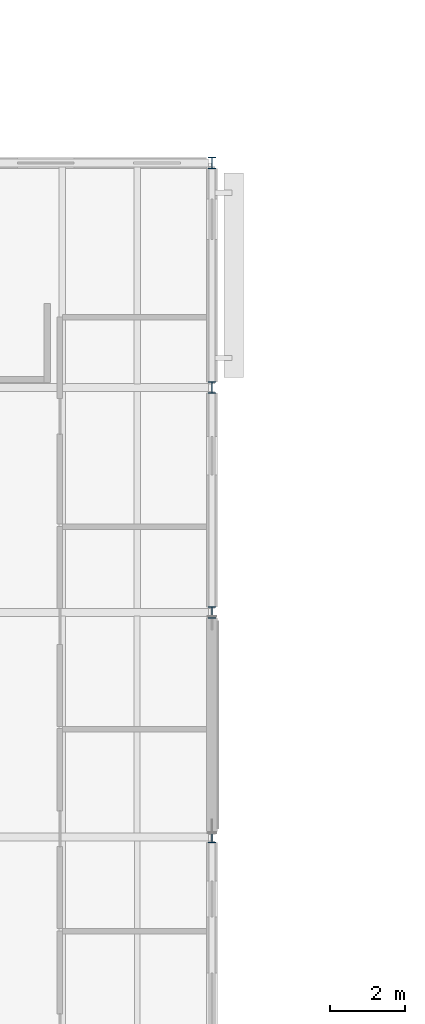
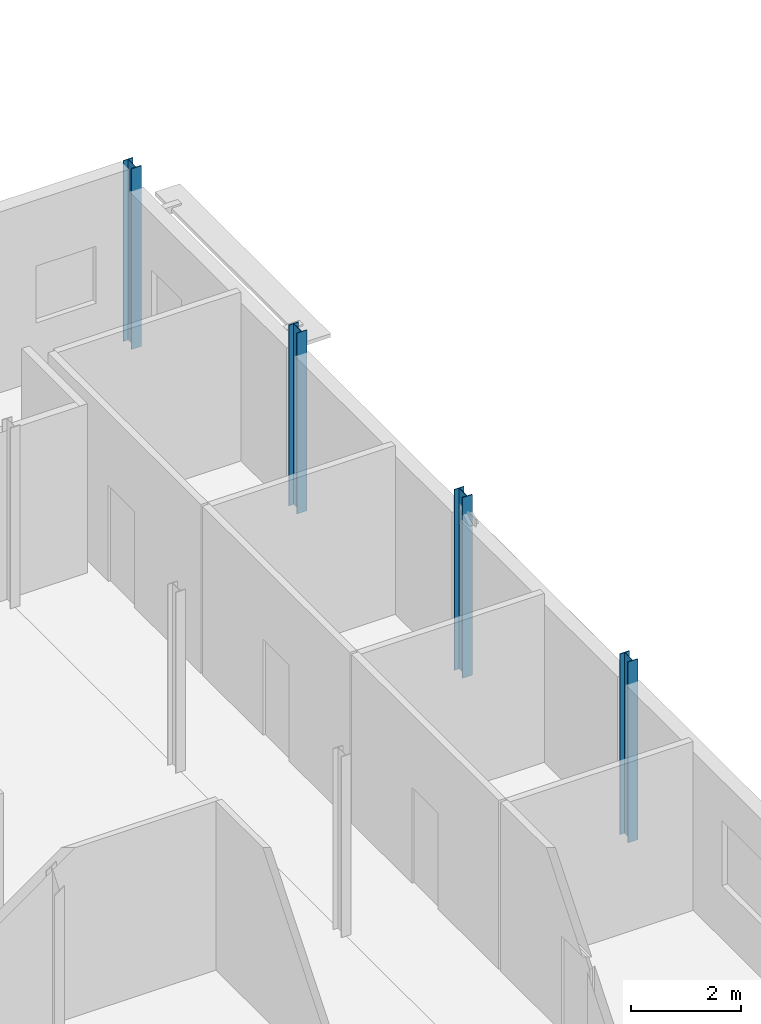
# One storey, part 6 of 45: 4 columns.
"""IFC4 building model written with IfcOpenShell, lengths in metres."""

from ifc_helpers import new_model, si_unit, direction, frame, origin, origin_2d, place, context, subcontext, project, spatial, i_section, extrude, material, material_profile, profile_set, type_object, element, save


model = new_model("IFC4")

# Units and contexts
model_context = context("Model", 3, precision=1e-05, world=origin(), true_north=direction((0.0, 1.0)))
body_context = subcontext(model_context, "Body", "Model", "MODEL_VIEW")
ifc_project = project(units=[si_unit("LENGTHUNIT", "METRE"), si_unit("AREAUNIT", "SQUARE_METRE"), si_unit("VOLUMEUNIT", "CUBIC_METRE"), si_unit("PLANEANGLEUNIT", "RADIAN"), si_unit("MASSUNIT", "GRAM", prefix="KILO")], contexts=[model_context])

# Site, building, storey
site_placement = place(None, origin())
site = spatial("IfcSite", under=ifc_project, at=site_placement, CompositionType="ELEMENT")
building_placement = place(site_placement, origin())
building = spatial("IfcBuilding", under=site, at=building_placement, Name="Siltcreek Boulevard Central Fire Station", CompositionType="ELEMENT")
storey_placement = place(building_placement, frame((0.0, 0.0, 10.0)))
storey = spatial("IfcBuildingStorey", under=building, at=storey_placement, Name="L03", CompositionType="ELEMENT", Elevation=10.0)

# Columns
ifc_material = material(Name="Structural steel ASTM A992 Gr50", Category="steel")
ifc_material_profile = material_profile(ifc_material, i_section(OverallWidth=0.205078125, OverallDepth=0.31005859375, WebThickness=0.009521484375, FlangeThickness=0.016357421875, at=origin_2d()), Name="W310X74")
ifc_profile_set = profile_set([ifc_material_profile], Name="Structural steel ASTM A992 Gr50")
column_type = type_object("IfcColumnType", Name="COL_W310X74", PredefinedType="COLUMN", material=ifc_profile_set)
for number, where, z_axis, x_axis, name in (
    (1, (108.0, 36.0, 0.0), (0.0, 0.0, 1.0), (1.0, 0.0, 0.0), "L03 structural column COLG-L03-1080-360"),
    (2, (108.0, 42.0, 0.0), (0.0, 0.0, 1.0), (1.0, 0.0, 0.0), "L03 structural column COLG-L03-1080-420"),
    (3, (108.0, 48.0, 0.0), (0.0, 0.0, 1.0), (1.0, 0.0, 0.0), "L03 structural column COLG-L03-1080-480"),
    (4, (108.0, 54.0, 0.0), (0.0, 0.0, 1.0), (1.0, 0.0, 0.0), "L03 structural column COLG-L03-1080-540"),
):
    element("IfcColumn", number, at=place(storey_placement, frame(where, z_axis=z_axis, x_axis=x_axis)), inside=storey, type_object=column_type, Name=name, PredefinedType="COLUMN", context=body_context, shape_type="SweptSolid", body=[
        extrude(i_section(OverallWidth=0.205078125, OverallDepth=0.31005859375, WebThickness=0.009521484375, FlangeThickness=0.016357421875, at=origin_2d()), origin(), (0.0, 0.0, 1.0), 4.0),
    ])

save(model, "model.ifc")
